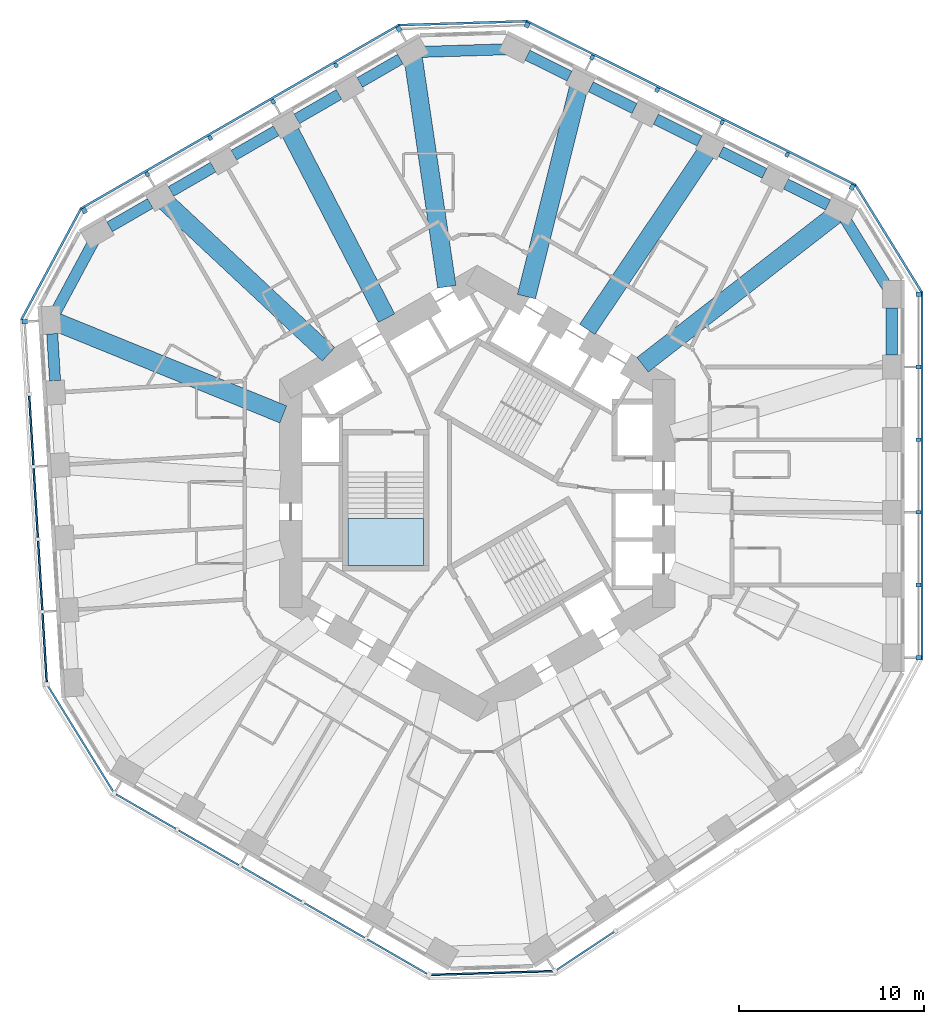
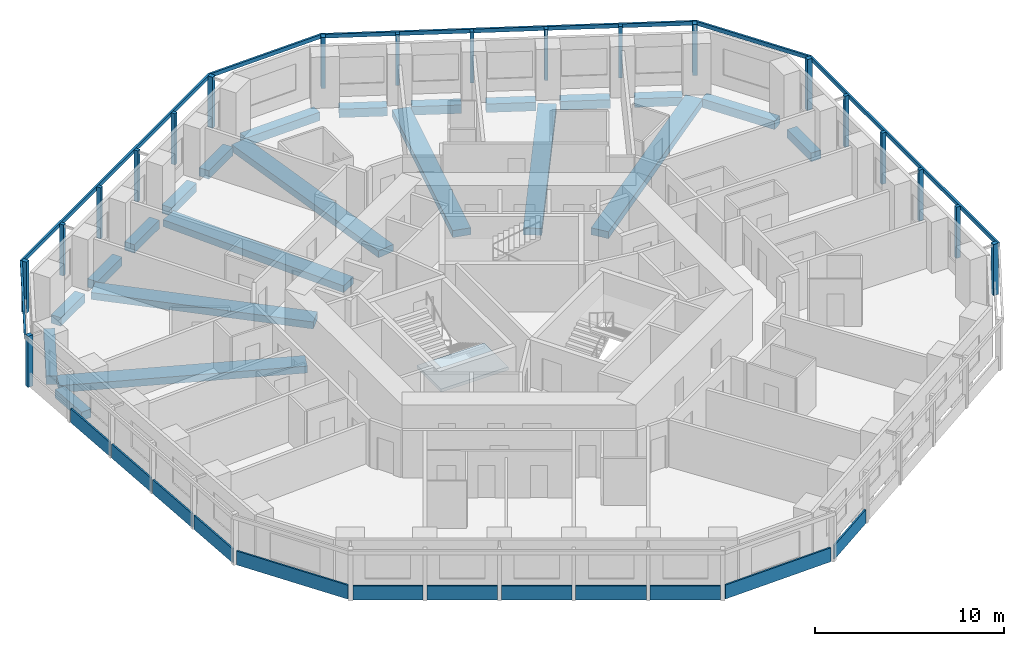
# One storey, part 2 of 12: 25 members, 22 beams, 12 plates, 1 slab, 12 elements without a shape of their own.
"""IFC4 building model written with IfcOpenShell, lengths in metres."""

from ifc_helpers import new_model, si_unit, direction, frame, origin, origin_2d, place, context, subcontext, project, spatial, polyline, rectangle, outline, extrude, material, layer, layer_set, material_profile, profile_set, type_object, element, aggregate, save


model = new_model("IFC4")

# Units and contexts
model_context = context("Model", 3, precision=1e-05, world=origin(), true_north=direction((0.0, 1.0)))
body_context = subcontext(model_context, "Body", "Model", "MODEL_VIEW")
ifc_project = project(units=[si_unit("LENGTHUNIT", "METRE"), si_unit("AREAUNIT", "SQUARE_METRE"), si_unit("VOLUMEUNIT", "CUBIC_METRE"), si_unit("PLANEANGLEUNIT", "RADIAN"), si_unit("MASSUNIT", "GRAM", prefix="KILO")], contexts=[model_context])

# Site, building, storey
site_placement = place(None, origin())
site = spatial("IfcSite", under=ifc_project, at=site_placement, CompositionType="ELEMENT")
building_placement = place(site_placement, origin())
building = spatial("IfcBuilding", under=site, at=building_placement, Name="Vanh Sen Convention Tower", CompositionType="ELEMENT")
storey_placement = place(building_placement, frame((0.0, 0.0, 53.89990234375)))
storey = spatial("IfcBuildingStorey", under=building, at=storey_placement, Name="L10", CompositionType="ELEMENT", Elevation=53.89990234375)

# Curtain wall, members
ifc_material_1 = material(Name="Concrete C50/60", Category="concrete")
curtain_wall_type = type_object("IfcCurtainWallType", Name="Outer skin hotel zone", PredefinedType="NOTDEFINED", material=ifc_material_1)
curtain_wall_1_placement = place(storey_placement, origin())
curtain_wall_1 = element("IfcCurtainWall", 1, at=curtain_wall_1_placement, inside=storey, type_object=curtain_wall_type, Name="OUTER SKIN E L10", PredefinedType="NOTDEFINED")
ifc_material_profile_1 = material_profile(ifc_material_1, rectangle(XDim=0.25, YDim=0.300048828125, at=origin_2d()), Name="Outer skin precast corner fin 250 x 300")
ifc_profile_set_1 = profile_set([ifc_material_profile_1], Name="Concrete C50/60")
member_type_1 = type_object("IfcMemberType", Name="Outer skin precast corner fin 250 x 300", PredefinedType="MULLION", material=ifc_profile_set_1)
member_1_placement = place(storey_placement, frame((23.89990234375, -8.899169921875, 0.0), z_axis=(0.0, 0.0, 1.0), x_axis=(0.0, 1.0, 0.0)))
member_1 = element("IfcMember", 2, at=member_1_placement, type_object=member_type_1, Name="OUTER SKIN CORNER FIN 1 E L10", PredefinedType="MULLION", context=body_context, shape_type="SweptSolid", body=[
    extrude(rectangle(XDim=0.25, YDim=0.300048828125, at=origin_2d()), origin(), (0.0, 0.0, 1.0), 3.300048828125),
])
member_2_placement = place(storey_placement, frame((23.89990234375, 10.773681640625, 0.0), z_axis=(0.0, 0.0, 1.0), x_axis=(0.0, 1.0, 0.0)))
member_2 = element("IfcMember", 3, at=member_2_placement, type_object=member_type_1, Name="OUTER SKIN CORNER FIN 6 E L10", PredefinedType="MULLION", context=body_context, shape_type="SweptSolid", body=[
    extrude(rectangle(XDim=0.25, YDim=0.300048828125, at=origin_2d()), origin(), (0.0, 0.0, 1.0), 3.300048828125),
])

curtain_wall_2_placement = place(storey_placement, origin())
curtain_wall_2 = element("IfcCurtainWall", 4, at=curtain_wall_2_placement, inside=storey, type_object=curtain_wall_type, Name="OUTER SKIN NE L10", PredefinedType="NOTDEFINED")
member_3_placement = place(storey_placement, frame((20.305908203125, 16.581787109375, 0.0), z_axis=(0.0, 0.0, 1.0), x_axis=(-0.894934361602, 0.44619781311, 0.0)))
member_3 = element("IfcMember", 5, at=member_3_placement, type_object=member_type_1, Name="OUTER SKIN CORNER FIN 1 NE L10", PredefinedType="MULLION", context=body_context, shape_type="SweptSolid", body=[
    extrude(rectangle(XDim=0.25, YDim=0.300048828125, at=origin_2d()), origin(), (0.0, 0.0, 1.0), 3.300048828125),
])
member_4_placement = place(storey_placement, frame((2.699951171875, 25.35986328125, 0.0), z_axis=(0.0, 0.0, 1.0), x_axis=(-0.894934361602, 0.44619781311, 0.0)))
member_4 = element("IfcMember", 6, at=member_4_placement, type_object=member_type_1, Name="OUTER SKIN CORNER FIN 6 NE L10", PredefinedType="MULLION", context=body_context, shape_type="SweptSolid", body=[
    extrude(rectangle(XDim=0.25, YDim=0.300048828125, at=origin_2d()), origin(), (0.0, 0.0, 1.0), 3.300048828125),
])

curtain_wall_3_placement = place(storey_placement, origin())
curtain_wall_3 = element("IfcCurtainWall", 7, at=curtain_wall_3_placement, inside=storey, type_object=curtain_wall_type, Name="OUTER SKIN NW L10", PredefinedType="NOTDEFINED")
member_5_placement = place(storey_placement, frame((-4.242919921875, 25.147705078125, 0.0), z_axis=(0.0, 0.0, 1.0), x_axis=(-0.866025403784, -0.5, 0.0)))
member_5 = element("IfcMember", 8, at=member_5_placement, type_object=member_type_1, Name="OUTER SKIN CORNER FIN 1 NW L10", PredefinedType="MULLION", context=body_context, shape_type="SweptSolid", body=[
    extrude(rectangle(XDim=0.25, YDim=0.300048828125, at=origin_2d()), origin(), (0.0, 0.0, 1.0), 3.300048828125),
])
member_6_placement = place(storey_placement, frame((-21.2802734375, 15.31103515625, 0.0), z_axis=(0.0, 0.0, 1.0), x_axis=(-0.866025403784, -0.5, 0.0)))
member_6 = element("IfcMember", 9, at=member_6_placement, type_object=member_type_1, Name="OUTER SKIN CORNER FIN 6 NW L10", PredefinedType="MULLION", context=body_context, shape_type="SweptSolid", body=[
    extrude(rectangle(XDim=0.25, YDim=0.300048828125, at=origin_2d()), origin(), (0.0, 0.0, 1.0), 3.300048828125),
])

# Curtain wall, member
curtain_wall_4_placement = place(storey_placement, origin())
curtain_wall_4 = element("IfcCurtainWall", 10, at=curtain_wall_4_placement, inside=storey, type_object=curtain_wall_type, Name="OUTER SKIN W L10", PredefinedType="NOTDEFINED")
member_7_placement = place(storey_placement, frame((-24.51318359375, 9.294677734375, 0.0), z_axis=(0.0, 0.0, 1.0), x_axis=(0.061048539535, -0.998134798422, 0.0)))
member_7 = element("IfcMember", 11, at=member_7_placement, type_object=member_type_1, Name="OUTER SKIN CORNER FIN 1 W L10", PredefinedType="MULLION", context=body_context, shape_type="SweptSolid", body=[
    extrude(rectangle(XDim=0.25, YDim=0.300048828125, at=origin_2d()), origin(), (0.0, 0.0, 1.0), 3.300048828125),
])

# Member
ifc_material_profile_2 = material_profile(ifc_material_1, rectangle(XDim=0.199951171875, YDim=0.25, at=origin_2d()), Name="Outer skin precast fin 200 x 250")
ifc_profile_set_2 = profile_set([ifc_material_profile_2], Name="Concrete C50/60")
member_type_2 = type_object("IfcMemberType", Name="Outer skin precast fin 200 x 250", PredefinedType="MULLION", material=ifc_profile_set_2)
member_8_placement = place(storey_placement, frame((23.89990234375, -4.964599609375, 0.0), z_axis=(0.0, 0.0, 1.0), x_axis=(0.0, 1.0, 0.0)))
member_8 = element("IfcMember", 12, at=member_8_placement, type_object=member_type_2, Name="OUTER SKIN fin 2 E L10", PredefinedType="MULLION", context=body_context, shape_type="SweptSolid", body=[
    extrude(rectangle(XDim=0.199951171875, YDim=0.25, at=origin_2d()), origin(), (0.0, 0.0, 1.0), 3.300048828125),
])

member_9_placement = place(storey_placement, frame((23.89990234375, -1.030029296875, 0.0), z_axis=(0.0, 0.0, 1.0), x_axis=(0.0, 1.0, 0.0)))
member_9 = element("IfcMember", 13, at=member_9_placement, type_object=member_type_2, Name="OUTER SKIN fin 3 E L10", PredefinedType="MULLION", context=body_context, shape_type="SweptSolid", body=[
    extrude(rectangle(XDim=0.199951171875, YDim=0.25, at=origin_2d()), origin(), (0.0, 0.0, 1.0), 3.300048828125),
])

member_10_placement = place(storey_placement, frame((23.89990234375, 2.904541015625, 0.0), z_axis=(0.0, 0.0, 1.0), x_axis=(0.0, 1.0, 0.0)))
member_10 = element("IfcMember", 14, at=member_10_placement, type_object=member_type_2, Name="OUTER SKIN fin 4 E L10", PredefinedType="MULLION", context=body_context, shape_type="SweptSolid", body=[
    extrude(rectangle(XDim=0.199951171875, YDim=0.25, at=origin_2d()), origin(), (0.0, 0.0, 1.0), 3.300048828125),
])

member_11_placement = place(storey_placement, frame((23.89990234375, 6.839111328125, 0.0), z_axis=(0.0, 0.0, 1.0), x_axis=(0.0, 1.0, 0.0)))
member_11 = element("IfcMember", 15, at=member_11_placement, type_object=member_type_2, Name="OUTER SKIN fin 5 E L10", PredefinedType="MULLION", context=body_context, shape_type="SweptSolid", body=[
    extrude(rectangle(XDim=0.199951171875, YDim=0.25, at=origin_2d()), origin(), (0.0, 0.0, 1.0), 3.300048828125),
])

member_12_placement = place(storey_placement, frame((16.78466796875, 18.33740234375, 0.0), z_axis=(0.0, 0.0, 1.0), x_axis=(-0.894934361602, 0.44619781311, 0.0)))
member_12 = element("IfcMember", 16, at=member_12_placement, type_object=member_type_2, Name="OUTER SKIN fin 2 NE L10", PredefinedType="MULLION", context=body_context, shape_type="SweptSolid", body=[
    extrude(rectangle(XDim=0.199951171875, YDim=0.25, at=origin_2d()), origin(), (0.0, 0.0, 1.0), 3.300048828125),
])

member_13_placement = place(storey_placement, frame((13.263427734375, 20.093017578125, 0.0), z_axis=(0.0, 0.0, 1.0), x_axis=(-0.894934361602, 0.44619781311, 0.0)))
member_13 = element("IfcMember", 17, at=member_13_placement, type_object=member_type_2, Name="OUTER SKIN fin 3 NE L10", PredefinedType="MULLION", context=body_context, shape_type="SweptSolid", body=[
    extrude(rectangle(XDim=0.199951171875, YDim=0.25, at=origin_2d()), origin(), (0.0, 0.0, 1.0), 3.300048828125),
])

member_14_placement = place(storey_placement, frame((9.7421875, 21.8486328125, 0.0), z_axis=(0.0, 0.0, 1.0), x_axis=(-0.894934361602, 0.44619781311, 0.0)))
member_14 = element("IfcMember", 18, at=member_14_placement, type_object=member_type_2, Name="OUTER SKIN fin 4 NE L10", PredefinedType="MULLION", context=body_context, shape_type="SweptSolid", body=[
    extrude(rectangle(XDim=0.199951171875, YDim=0.25, at=origin_2d()), origin(), (0.0, 0.0, 1.0), 3.300048828125),
])

member_15_placement = place(storey_placement, frame((6.22119140625, 23.604248046875, 0.0), z_axis=(0.0, 0.0, 1.0), x_axis=(-0.894934361602, 0.44619781311, 0.0)))
member_15 = element("IfcMember", 19, at=member_15_placement, type_object=member_type_2, Name="OUTER SKIN fin 5 NE L10", PredefinedType="MULLION", context=body_context, shape_type="SweptSolid", body=[
    extrude(rectangle(XDim=0.199951171875, YDim=0.25, at=origin_2d()), origin(), (0.0, 0.0, 1.0), 3.300048828125),
])

member_16_placement = place(storey_placement, frame((-7.650390625, 23.180419921875, 0.0), z_axis=(0.0, 0.0, 1.0), x_axis=(-0.866025403784, -0.5, 0.0)))
member_16 = element("IfcMember", 20, at=member_16_placement, type_object=member_type_2, Name="OUTER SKIN fin 2 NW L10", PredefinedType="MULLION", context=body_context, shape_type="SweptSolid", body=[
    extrude(rectangle(XDim=0.199951171875, YDim=0.25, at=origin_2d()), origin(), (0.0, 0.0, 1.0), 3.300048828125),
])

member_17_placement = place(storey_placement, frame((-11.057861328125, 21.212890625, 0.0), z_axis=(0.0, 0.0, 1.0), x_axis=(-0.866025403784, -0.5, 0.0)))
member_17 = element("IfcMember", 21, at=member_17_placement, type_object=member_type_2, Name="OUTER SKIN fin 3 NW L10", PredefinedType="MULLION", context=body_context, shape_type="SweptSolid", body=[
    extrude(rectangle(XDim=0.199951171875, YDim=0.25, at=origin_2d()), origin(), (0.0, 0.0, 1.0), 3.300048828125),
])

member_18_placement = place(storey_placement, frame((-14.46533203125, 19.24560546875, 0.0), z_axis=(0.0, 0.0, 1.0), x_axis=(-0.866025403784, -0.5, 0.0)))
member_18 = element("IfcMember", 22, at=member_18_placement, type_object=member_type_2, Name="OUTER SKIN fin 4 NW L10", PredefinedType="MULLION", context=body_context, shape_type="SweptSolid", body=[
    extrude(rectangle(XDim=0.199951171875, YDim=0.25, at=origin_2d()), origin(), (0.0, 0.0, 1.0), 3.300048828125),
])

member_19_placement = place(storey_placement, frame((-17.872802734375, 17.2783203125, 0.0), z_axis=(0.0, 0.0, 1.0), x_axis=(-0.866025403784, -0.5, 0.0)))
member_19 = element("IfcMember", 23, at=member_19_placement, type_object=member_type_2, Name="OUTER SKIN fin 5 NW L10", PredefinedType="MULLION", context=body_context, shape_type="SweptSolid", body=[
    extrude(rectangle(XDim=0.199951171875, YDim=0.25, at=origin_2d()), origin(), (0.0, 0.0, 1.0), 3.300048828125),
])

ifc_material_profile_3 = material_profile(ifc_material_1, rectangle(XDim=0.1201171875, YDim=0.25, at=origin_2d()), Name="Outer skin precast spandrel band 250 x 120")
ifc_profile_set_3 = profile_set([ifc_material_profile_3], Name="Concrete C50/60")
member_type_3 = type_object("IfcMemberType", Name="Outer skin precast spandrel band 250 x 120", PredefinedType="USERDEFINED", material=ifc_profile_set_3)
member_20_placement = place(storey_placement, frame((24.0849609375, -9.024169921875, 3.175048828125), z_axis=(0.0, 1.0, 0.0), x_axis=(-1.0, 0.0, 0.0)))
member_20 = element("IfcMember", 24, at=member_20_placement, type_object=member_type_3, Name="OUTER SKIN spandrel band E L10", ObjectType="TRANSOM", PredefinedType="USERDEFINED", context=body_context, shape_type="SweptSolid", body=[
    extrude(rectangle(XDim=0.1201171875, YDim=0.25, at=origin_2d()), origin(), (0.0, 0.0, 1.0), 19.9228515625),
])

aggregate(curtain_wall_1, [member_1, member_8, member_9, member_10, member_11, member_2, member_20])

# Curtain wall, member
curtain_wall_5_placement = place(storey_placement, origin())
curtain_wall_5 = element("IfcCurtainWall", 25, at=curtain_wall_5_placement, inside=storey, type_object=curtain_wall_type, Name="OUTER SKIN CH1 L10", PredefinedType="NOTDEFINED")
member_21_placement = place(storey_placement, frame((24.07861328125, 10.88427734375, 3.175048828125), z_axis=(-0.526195864379, 0.850363400148, 0.0), x_axis=(-0.850363400148, -0.526195864379, 0.0)))
member_21 = element("IfcMember", 26, at=member_21_placement, type_object=member_type_3, Name="OUTER SKIN spandrel band CH1 L10", ObjectType="TRANSOM", PredefinedType="USERDEFINED", context=body_context, shape_type="SweptSolid", body=[
    extrude(rectangle(XDim=0.1201171875, YDim=0.25, at=origin_2d()), origin(), (0.0, 0.0, 1.0), 6.830078125),
])
aggregate(curtain_wall_5, [member_21])

# Member
member_22_placement = place(storey_placement, frame((20.500244140625, 16.69140625, 3.175048828125), z_axis=(-0.894931498167, 0.446203556227, 0.0), x_axis=(-0.446203556227, -0.894931498167, 0.0)))
member_22 = element("IfcMember", 27, at=member_22_placement, type_object=member_type_3, Name="OUTER SKIN spandrel band NE L10", ObjectType="TRANSOM", PredefinedType="USERDEFINED", context=body_context, shape_type="SweptSolid", body=[
    extrude(rectangle(XDim=0.1201171875, YDim=0.25, at=origin_2d()), origin(), (0.0, 0.0, 1.0), 19.9228515625),
])

aggregate(curtain_wall_2, [member_3, member_12, member_13, member_14, member_15, member_4, member_22])

# Curtain wall, member
curtain_wall_6_placement = place(storey_placement, origin())
curtain_wall_6 = element("IfcCurtainWall", 28, at=curtain_wall_6_placement, inside=storey, type_object=curtain_wall_type, Name="OUTER SKIN CH2 L10", PredefinedType="NOTDEFINED")
member_23_placement = place(storey_placement, frame((2.693603515625, 25.569580078125, 3.175048828125), z_axis=(-0.999533472857, -0.030542374483, 0.0), x_axis=(0.030542374483, -0.999533472857, 0.0)))
member_23 = element("IfcMember", 29, at=member_23_placement, type_object=member_type_3, Name="OUTER SKIN spandrel band CH2 L10", ObjectType="TRANSOM", PredefinedType="USERDEFINED", context=body_context, shape_type="SweptSolid", body=[
    extrude(rectangle(XDim=0.1201171875, YDim=0.25, at=origin_2d()), origin(), (0.0, 0.0, 1.0), 6.9462890625),
])
aggregate(curtain_wall_6, [member_23])

# Member
member_24_placement = place(storey_placement, frame((-4.227294921875, 25.370361328125, 3.175048828125), z_axis=(-0.866028047459, -0.499995420993, 0.0), x_axis=(0.499995420993, -0.866028047459, 0.0)))
member_24 = element("IfcMember", 30, at=member_24_placement, type_object=member_type_3, Name="OUTER SKIN spandrel band NW L10", ObjectType="TRANSOM", PredefinedType="USERDEFINED", context=body_context, shape_type="SweptSolid", body=[
    extrude(rectangle(XDim=0.1201171875, YDim=0.25, at=origin_2d()), origin(), (0.0, 0.0, 1.0), 19.923095703125),
])

aggregate(curtain_wall_3, [member_5, member_16, member_17, member_18, member_19, member_6, member_24])

# Curtain wall, member
curtain_wall_7_placement = place(storey_placement, origin())
curtain_wall_7 = element("IfcCurtainWall", 31, at=curtain_wall_7_placement, inside=storey, type_object=curtain_wall_type, Name="OUTER SKIN CH3 L10", PredefinedType="NOTDEFINED")
member_25_placement = place(storey_placement, frame((-21.46533203125, 15.410400390625, 3.175048828125), z_axis=(-0.473315186561, -0.880893145717, 0.0), x_axis=(0.880893145717, -0.473315186561, 0.0)))
member_25 = element("IfcMember", 32, at=member_25_placement, type_object=member_type_3, Name="OUTER SKIN spandrel band CH3 L10", ObjectType="TRANSOM", PredefinedType="USERDEFINED", context=body_context, shape_type="SweptSolid", body=[
    extrude(rectangle(XDim=0.1201171875, YDim=0.25, at=origin_2d()), origin(), (0.0, 0.0, 1.0), 6.829833984375),
])
aggregate(curtain_wall_7, [member_25])

# Beams
ifc_material_2 = material(Name="Concrete C50/60", Category="concrete")
ifc_material_profile_4 = material_profile(ifc_material_2, rectangle(XDim=1.0, YDim=0.449951171875, at=origin_2d()), Name="RC 1000X450")
ifc_profile_set_4 = profile_set([ifc_material_profile_4], Name="Concrete C50/60")
beam_type_1 = type_object("IfcBeamType", Name="Radial floor beam 1000 x 450", PredefinedType="BEAM", material=ifc_profile_set_4)
beam_1_placement = place(storey_placement, frame((19.41455078125, 15.093994140625, -0.474853515625), z_axis=(-0.789473256885, -0.613784959627, 0.0), x_axis=(0.613784959627, -0.789473256885, 0.0)))
element("IfcBeam", 33, at=beam_1_placement, inside=storey, type_object=beam_type_1, Name="Radial beam 04 L10", PredefinedType="BEAM", context=body_context, shape_type="SweptSolid", body=[
    extrude(rectangle(XDim=1.0, YDim=0.449951171875, at=origin_2d()), origin(), (0.0, 0.0, 1.0), 13.248779296875),
])
beam_2_placement = place(storey_placement, frame((12.374267578125, 18.4345703125, -0.474853515625), z_axis=(-0.557324389615, -0.830294842053, 0.0), x_axis=(0.830294842053, -0.557324389615, 0.0)))
element("IfcBeam", 34, at=beam_2_placement, inside=storey, type_object=beam_type_1, Name="Radial beam 05 L10", PredefinedType="BEAM", context=body_context, shape_type="SweptSolid", body=[
    extrude(rectangle(XDim=1.0, YDim=0.449951171875, at=origin_2d()), origin(), (0.0, 0.0, 1.0), 11.51708984375),
])
beam_3_placement = place(storey_placement, frame((5.47802734375, 21.921875, -0.474853515625), z_axis=(-0.242426812684, -0.97016969675, 0.0), x_axis=(0.97016969675, -0.242426812684, 0.0)))
element("IfcBeam", 35, at=beam_3_placement, inside=storey, type_object=beam_type_1, Name="Radial beam 06 L10", PredefinedType="BEAM", context=body_context, shape_type="SweptSolid", body=[
    extrude(rectangle(XDim=1.0, YDim=0.449951171875, at=origin_2d()), origin(), (0.0, 0.0, 1.0), 11.614501953125),
])
beam_4_placement = place(storey_placement, frame((-3.46923828125, 23.560791015625, -0.474853515625), z_axis=(0.145669310946, -0.989333337075, 0.0), x_axis=(0.989333337075, 0.145669310946, 0.0)))
element("IfcBeam", 36, at=beam_4_placement, inside=storey, type_object=beam_type_1, Name="Radial beam 07 L10", PredefinedType="BEAM", context=body_context, shape_type="SweptSolid", body=[
    extrude(rectangle(XDim=1.0, YDim=0.449951171875, at=origin_2d()), origin(), (0.0, 0.0, 1.0), 12.5078125),
])
beam_5_placement = place(storey_placement, frame((-10.115478515625, 19.53759765625, -0.474853515625), z_axis=(0.459758563435, -0.8880439535, 0.0), x_axis=(0.8880439535, 0.459758563435, 0.0)))
element("IfcBeam", 37, at=beam_5_placement, inside=storey, type_object=beam_type_1, Name="Radial beam 08 L10", PredefinedType="BEAM", context=body_context, shape_type="SweptSolid", body=[
    extrude(rectangle(XDim=1.0, YDim=0.449951171875, at=origin_2d()), origin(), (0.0, 0.0, 1.0), 11.317626953125),
])
beam_6_placement = place(storey_placement, frame((-16.880859375, 15.773193359375, -0.474853515625), z_axis=(0.730669888391, -0.682730923717, 0.0), x_axis=(0.682730923717, 0.730669888391, 0.0)))
element("IfcBeam", 38, at=beam_6_placement, inside=storey, type_object=beam_type_1, Name="Radial beam 09 L10", PredefinedType="BEAM", context=body_context, shape_type="SweptSolid", body=[
    extrude(rectangle(XDim=1.0, YDim=0.449951171875, at=origin_2d()), origin(), (0.0, 0.0, 1.0), 12.074951171875),
])
beam_7_placement = place(storey_placement, frame((-22.779052734375, 9.266357421875, -0.474853515625), z_axis=(0.926290168233, -0.376810992719, 0.0), x_axis=(0.376810992719, 0.926290168233, 0.0)))
element("IfcBeam", 39, at=beam_7_placement, inside=storey, type_object=beam_type_1, Name="Radial beam 10 L10", PredefinedType="BEAM", context=body_context, shape_type="SweptSolid", body=[
    extrude(rectangle(XDim=1.0, YDim=0.449951171875, at=origin_2d()), origin(), (0.0, 0.0, 1.0), 13.24853515625),
])
ifc_material_profile_5 = material_profile(ifc_material_2, rectangle(XDim=0.60009765625, YDim=0.550048828125, at=origin_2d()), Name="RC 600X550")
ifc_profile_set_5 = profile_set([ifc_material_profile_5], Name="Concrete C50/60")
beam_type_2 = type_object("IfcBeamType", Name="Spandrel beam 600 x 550", PredefinedType="SPANDREL", material=ifc_profile_set_5)
beam_8_placement = place(storey_placement, frame((22.449951171875, 7.484130859375, -0.52490234375), z_axis=(0.0, 1.0, 0.0), x_axis=(-1.0, 0.0, 0.0)))
element("IfcBeam", 40, at=beam_8_placement, inside=storey, type_object=beam_type_2, Name="Spandrel beam 05 L10", PredefinedType="SPANDREL", context=body_context, shape_type="SweptSolid", body=[
    extrude(rectangle(XDim=0.60009765625, YDim=0.550048828125, at=origin_2d()), origin(), (0.0, 0.0, 1.0), 2.544677734375),
])
beam_9_placement = place(storey_placement, frame((22.207763671875, 11.165283203125, -0.52490234375), z_axis=(-0.526233808765, 0.850339919392, 0.0), x_axis=(-0.850339919392, -0.526233808765, 0.0)))
element("IfcBeam", 41, at=beam_9_placement, inside=storey, type_object=beam_type_2, Name="Spandrel beam 06 L10", PredefinedType="SPANDREL", context=body_context, shape_type="SweptSolid", body=[
    extrude(rectangle(XDim=0.60009765625, YDim=0.550048828125, at=origin_2d()), origin(), (0.0, 0.0, 1.0), 4.38330078125),
])
beam_10_placement = place(storey_placement, frame((18.9921875, 15.616455078125, -0.52490234375), z_axis=(-0.89492552091, 0.446215544356, 0.0), x_axis=(-0.446215544356, -0.89492552091, 0.0)))
element("IfcBeam", 42, at=beam_10_placement, inside=storey, type_object=beam_type_2, Name="Spandrel beam 07 L10", PredefinedType="SPANDREL", context=body_context, shape_type="SweptSolid", body=[
    extrude(rectangle(XDim=0.60009765625, YDim=0.550048828125, at=origin_2d()), origin(), (0.0, 0.0, 1.0), 2.544677734375),
])
beam_11_placement = place(storey_placement, frame((15.560546875, 17.327392578125, -0.52490234375), z_axis=(-0.894925098079, 0.446216392379, 0.0), x_axis=(-0.446216392379, -0.894925098079, 0.0)))
element("IfcBeam", 43, at=beam_11_placement, inside=storey, type_object=beam_type_2, Name="Spandrel beam 08 L10", PredefinedType="SPANDREL", context=body_context, shape_type="SweptSolid", body=[
    extrude(rectangle(XDim=0.60009765625, YDim=0.550048828125, at=origin_2d()), origin(), (0.0, 0.0, 1.0), 2.644775390625),
])
for number, where, z_axis, x_axis, name in (
    (44, (12.039306640625, 19.0830078125, -0.52490234375), (-0.894906716461, 0.446253256383, 0.0), (-0.446253256383, -0.894906716461, 0.0), "Spandrel beam 09 L10"),
    (45, (8.51806640625, 20.838623046875, -0.52490234375), (-0.894906716461, 0.446253256383, 0.0), (-0.446253256383, -0.894906716461, 0.0), "Spandrel beam 10 L10"),
):
    element("IfcBeam", number, at=place(storey_placement, frame(where, z_axis=z_axis, x_axis=x_axis)), inside=storey, type_object=beam_type_2, Name=name, PredefinedType="SPANDREL", context=body_context, shape_type="SweptSolid", body=[
        extrude(rectangle(XDim=0.60009765625, YDim=0.550048828125, at=origin_2d()), origin(), (0.0, 0.0, 1.0), 2.64453125),
    ])
beam_12_placement = place(storey_placement, frame((4.996826171875, 22.59423828125, -0.52490234375), z_axis=(-0.89492552091, 0.446215544356, 0.0), x_axis=(-0.446215544356, -0.89492552091, 0.0)))
element("IfcBeam", 46, at=beam_12_placement, inside=storey, type_object=beam_type_2, Name="Spandrel beam 11 L10", PredefinedType="SPANDREL", context=body_context, shape_type="SweptSolid", body=[
    extrude(rectangle(XDim=0.60009765625, YDim=0.550048828125, at=origin_2d()), origin(), (0.0, 0.0, 1.0), 2.544677734375),
])
beam_13_placement = place(storey_placement, frame((1.56005859375, 24.047119140625, -0.52490234375), z_axis=(-0.99953328448, -0.030548538698, 0.0), x_axis=(0.030548538698, -0.99953328448, 0.0)))
element("IfcBeam", 47, at=beam_13_placement, inside=storey, type_object=beam_type_2, Name="Spandrel beam 12 L10", PredefinedType="SPANDREL", context=body_context, shape_type="SweptSolid", body=[
    extrude(rectangle(XDim=0.60009765625, YDim=0.550048828125, at=origin_2d()), origin(), (0.0, 0.0, 1.0), 4.58740234375),
])
beam_14_placement = place(storey_placement, frame((-4.1630859375, 23.519287109375, -0.52490234375), z_axis=(-0.866056180903, -0.499946688677, 0.0), x_axis=(0.499946688677, -0.866056180903, 0.0)))
element("IfcBeam", 48, at=beam_14_placement, inside=storey, type_object=beam_type_2, Name="Spandrel beam 13 L10", PredefinedType="SPANDREL", context=body_context, shape_type="SweptSolid", body=[
    extrude(rectangle(XDim=0.60009765625, YDim=0.550048828125, at=origin_2d()), origin(), (0.0, 0.0, 1.0), 2.544677734375),
])
for number, where, z_axis, x_axis, name in (
    (49, (-7.484130859375, 21.60205078125, -0.52490234375), (-0.866030315638, -0.499991492324, 0.0), (0.499991492324, -0.866030315638, 0.0), "Spandrel beam 14 L10"),
    (50, (-10.8916015625, 19.634765625, -0.52490234375), (-0.866030315638, -0.499991492324, 0.0), (0.499991492324, -0.866030315638, 0.0), "Spandrel beam 15 L10"),
    (51, (-14.299072265625, 17.66748046875, -0.52490234375), (-0.866030315638, -0.499991492324, 0.0), (0.499991492324, -0.866030315638, 0.0), "Spandrel beam 16 L10"),
):
    element("IfcBeam", number, at=place(storey_placement, frame(where, z_axis=z_axis, x_axis=x_axis)), inside=storey, type_object=beam_type_2, Name=name, PredefinedType="SPANDREL", context=body_context, shape_type="SweptSolid", body=[
        extrude(rectangle(XDim=0.60009765625, YDim=0.550048828125, at=origin_2d()), origin(), (0.0, 0.0, 1.0), 2.64453125),
    ])
beam_15_placement = place(storey_placement, frame((-17.70654296875, 15.7001953125, -0.52490234375), z_axis=(-0.866032197868, -0.499988232117, 0.0), x_axis=(0.499988232117, -0.866032197868, 0.0)))
element("IfcBeam", 52, at=beam_15_placement, inside=storey, type_object=beam_type_2, Name="Spandrel beam 17 L10", PredefinedType="SPANDREL", context=body_context, shape_type="SweptSolid", body=[
    extrude(rectangle(XDim=0.60009765625, YDim=0.550048828125, at=origin_2d()), origin(), (0.0, 0.0, 1.0), 2.54443359375),
])
beam_16_placement = place(storey_placement, frame((-20.773193359375, 13.64990234375, -0.52490234375), z_axis=(-0.47333237284, -0.880883911093, 0.0), x_axis=(0.880883911093, -0.47333237284, 0.0)))
element("IfcBeam", 53, at=beam_16_placement, inside=storey, type_object=beam_type_2, Name="Spandrel beam 18 L10", PredefinedType="SPANDREL", context=body_context, shape_type="SweptSolid", body=[
    extrude(rectangle(XDim=0.60009765625, YDim=0.550048828125, at=origin_2d()), origin(), (0.0, 0.0, 1.0), 4.38330078125),
])
beam_17_placement = place(storey_placement, frame((-23.020263671875, 8.639404296875, -0.52490234375), z_axis=(0.061022277531, -0.998136404328, 0.0), x_axis=(0.998136404328, 0.061022277531, 0.0)))
element("IfcBeam", 54, at=beam_17_placement, inside=storey, type_object=beam_type_2, Name="Spandrel beam 19 L10", PredefinedType="SPANDREL", context=body_context, shape_type="SweptSolid", body=[
    extrude(rectangle(XDim=0.60009765625, YDim=0.550048828125, at=origin_2d()), origin(), (0.0, 0.0, 1.0), 2.54443359375),
])

# Plate
ifc_layer_1 = layer(ifc_material_1, 0.10009765625)
ifc_layer_set_1 = layer_set([ifc_layer_1], Name="Concrete C50/60")
plate_type = type_object("IfcPlateType", Name="Outer skin precast screen panel 100", PredefinedType="CURTAIN_PANEL", material=ifc_layer_set_1)
plate_1_placement = place(storey_placement, frame((-24.15283203125, 3.40380859375, 0.000244140625), z_axis=(0.0, 0.0, 1.0), x_axis=(0.061048539535, -0.998134798422, 0.0)))
plate_1 = element("IfcPlate", 55, at=plate_1_placement, type_object=plate_type, Name="OUTER SKIN screen panel W-2", PredefinedType="CURTAIN_PANEL", context=body_context, shape_type="SweptSolid", body=[
    extrude(rectangle(XDim=3.734619140625, YDim=0.10009765625, at=origin_2d()), origin(), (0.0, 0.0, 1.0), 0.89990234375),
])

plate_2_placement = place(storey_placement, frame((-23.91259765625, -0.523681640625, 0.000244140625), z_axis=(0.0, 0.0, 1.0), x_axis=(0.061046797461, -0.99813490497, 0.0)))
plate_2 = element("IfcPlate", 56, at=plate_2_placement, type_object=plate_type, Name="OUTER SKIN screen panel W-3", PredefinedType="CURTAIN_PANEL", context=body_context, shape_type="SweptSolid", body=[
    extrude(rectangle(XDim=3.734619140625, YDim=0.10009765625, at=origin_2d()), origin(), (0.0, 0.0, 1.0), 0.89990234375),
])

plate_3_placement = place(storey_placement, frame((-23.67236328125, -4.45068359375, 0.000244140625), z_axis=(0.0, 0.0, 1.0), x_axis=(0.061048539535, -0.998134798422, 0.0)))
plate_3 = element("IfcPlate", 57, at=plate_3_placement, type_object=plate_type, Name="OUTER SKIN screen panel W-4", PredefinedType="CURTAIN_PANEL", context=body_context, shape_type="SweptSolid", body=[
    extrude(rectangle(XDim=3.734619140625, YDim=0.10009765625, at=origin_2d()), origin(), (0.0, 0.0, 1.0), 0.89990234375),
])

plate_4_placement = place(storey_placement, frame((-23.43310546875, -8.365478515625, 0.000244140625), z_axis=(0.0, 0.0, 1.0), x_axis=(0.061046797461, -0.99813490497, 0.0)))
plate_4 = element("IfcPlate", 58, at=plate_4_placement, type_object=plate_type, Name="OUTER SKIN screen panel W-5", PredefinedType="CURTAIN_PANEL", context=body_context, shape_type="SweptSolid", body=[
    extrude(rectangle(XDim=3.709716796875, YDim=0.10009765625, at=origin_2d()), origin(), (0.0, 0.0, 1.0), 0.89990234375),
])

aggregate(curtain_wall_4, [member_7, plate_1, plate_2, plate_3, plate_4])

# Curtain wall, plate
curtain_wall_8_placement = place(storey_placement, origin())
curtain_wall_8 = element("IfcCurtainWall", 59, at=curtain_wall_8_placement, inside=storey, type_object=curtain_wall_type, Name="OUTER SKIN CH4 L10", PredefinedType="NOTDEFINED")
plate_5_placement = place(storey_placement, frame((-21.484619140625, -13.295166015625, 0.000244140625), z_axis=(0.0, 0.0, 1.0), x_axis=(0.526205018755, -0.850357735448, 0.0)))
plate_5 = element("IfcPlate", 60, at=plate_5_placement, type_object=plate_type, Name="OUTER SKIN screen panel CH4-1", PredefinedType="CURTAIN_PANEL", context=body_context, shape_type="SweptSolid", body=[
    extrude(rectangle(XDim=6.6962890625, YDim=0.10009765625, at=origin_2d()), origin(), (0.0, 0.0, 1.0), 0.89990234375),
])
aggregate(curtain_wall_8, [plate_5])

# Curtain wall, plates
curtain_wall_9_placement = place(storey_placement, origin())
curtain_wall_9 = element("IfcCurtainWall", 61, at=curtain_wall_9_placement, inside=storey, type_object=curtain_wall_type, Name="OUTER SKIN SW L10", PredefinedType="NOTDEFINED")
plate_6_placement = place(storey_placement, frame((-17.9423828125, -17.23828125, 0.000244140625), z_axis=(0.0, 0.0, 1.0), x_axis=(0.866028021766, -0.499995465495, 0.0)))
plate_6 = element("IfcPlate", 62, at=plate_6_placement, type_object=plate_type, Name="OUTER SKIN screen panel SW-1", PredefinedType="CURTAIN_PANEL", context=body_context, shape_type="SweptSolid", body=[
    extrude(rectangle(XDim=3.709716796875, YDim=0.10009765625, at=origin_2d()), origin(), (0.0, 0.0, 1.0), 0.89990234375),
])
plate_7_placement = place(storey_placement, frame((-14.5458984375, -19.19921875, 0.000244140625), z_axis=(0.0, 0.0, 1.0), x_axis=(0.866032385017, -0.499987907955, 0.0)))
plate_7 = element("IfcPlate", 63, at=plate_7_placement, type_object=plate_type, Name="OUTER SKIN screen panel SW-2", PredefinedType="CURTAIN_PANEL", context=body_context, shape_type="SweptSolid", body=[
    extrude(rectangle(XDim=3.734619140625, YDim=0.10009765625, at=origin_2d()), origin(), (0.0, 0.0, 1.0), 0.89990234375),
])
plate_8_placement = place(storey_placement, frame((-11.138427734375, -21.16650390625, 0.000244140625), z_axis=(0.0, 0.0, 1.0), x_axis=(0.866028021766, -0.499995465495, 0.0)))
plate_8 = element("IfcPlate", 64, at=plate_8_placement, type_object=plate_type, Name="OUTER SKIN screen panel SW-3", PredefinedType="CURTAIN_PANEL", context=body_context, shape_type="SweptSolid", body=[
    extrude(rectangle(XDim=3.734619140625, YDim=0.10009765625, at=origin_2d()), origin(), (0.0, 0.0, 1.0), 0.89990234375),
])
plate_9_placement = place(storey_placement, frame((-7.73095703125, -23.1337890625, 0.000244140625), z_axis=(0.0, 0.0, 1.0), x_axis=(0.866028021766, -0.499995465495, 0.0)))
plate_9 = element("IfcPlate", 65, at=plate_9_placement, type_object=plate_type, Name="OUTER SKIN screen panel SW-4", PredefinedType="CURTAIN_PANEL", context=body_context, shape_type="SweptSolid", body=[
    extrude(rectangle(XDim=3.734619140625, YDim=0.10009765625, at=origin_2d()), origin(), (0.0, 0.0, 1.0), 0.89990234375),
])
plate_10_placement = place(storey_placement, frame((-4.334228515625, -25.094970703125, 0.000244140625), z_axis=(0.0, 0.0, 1.0), x_axis=(0.866021040428, -0.500007557478, 0.0)))
plate_10 = element("IfcPlate", 66, at=plate_10_placement, type_object=plate_type, Name="OUTER SKIN screen panel SW-5", PredefinedType="CURTAIN_PANEL", context=body_context, shape_type="SweptSolid", body=[
    extrude(rectangle(XDim=3.70947265625, YDim=0.10009765625, at=origin_2d()), origin(), (0.0, 0.0, 1.0), 0.89990234375),
])
aggregate(curtain_wall_9, [plate_6, plate_7, plate_8, plate_9, plate_10])

# Curtain wall, plate
curtain_wall_10_placement = place(storey_placement, origin())
curtain_wall_10 = element("IfcCurtainWall", 67, at=curtain_wall_10_placement, inside=storey, type_object=curtain_wall_type, Name="OUTER SKIN CH5 L10", PredefinedType="NOTDEFINED")
plate_11_placement = place(storey_placement, frame((0.793701171875, -25.98046875, 0.000244140625), z_axis=(0.0, 0.0, 1.0), x_axis=(0.999533484231, 0.03054200224, 0.0)))
plate_11 = element("IfcPlate", 68, at=plate_11_placement, type_object=plate_type, Name="OUTER SKIN screen panel CH5-1", PredefinedType="CURTAIN_PANEL", context=body_context, shape_type="SweptSolid", body=[
    extrude(rectangle(XDim=6.580078125, YDim=0.10009765625, at=origin_2d()), origin(), (0.0, 0.0, 1.0), 0.89990234375),
])
aggregate(curtain_wall_10, [plate_11])

curtain_wall_11_placement = place(storey_placement, origin())
curtain_wall_11 = element("IfcCurtainWall", 69, at=curtain_wall_11_placement, inside=storey, type_object=curtain_wall_type, Name="OUTER SKIN SE L10", PredefinedType="NOTDEFINED")
plate_12_placement = place(storey_placement, frame((5.858154296875, -24.783447265625, 0.000244140625), z_axis=(0.0, 0.0, 1.0), x_axis=(0.833891601892, 0.55192825285, 0.0)))
plate_12 = element("IfcPlate", 70, at=plate_12_placement, type_object=plate_type, Name="OUTER SKIN screen panel SE-1", PredefinedType="CURTAIN_PANEL", context=body_context, shape_type="SweptSolid", body=[
    extrude(rectangle(XDim=3.709716796875, YDim=0.10009765625, at=origin_2d()), origin(), (0.0, 0.0, 1.0), 0.89990234375),
])
aggregate(curtain_wall_11, [plate_12])

# Stair, slab
ifc_material_3 = material(Name="Concrete C50/60", Category="concrete")
stair_type = type_object("IfcStairType", Name="Exit stair ST2 20 risers at 165.0", PredefinedType="HALF_TURN_STAIR", material=ifc_material_3)
stair_placement = place(storey_placement, origin())
stair = element("IfcStair", 71, at=stair_placement, inside=storey, type_object=stair_type, Name="Exit stair ST2 L10", PredefinedType="HALF_TURN_STAIR")
ifc_material_4 = material(Name="Concrete C40/50", Category="concrete")
ifc_layer_2 = layer(ifc_material_4, 0.199951171875)
ifc_layer_set_2 = layer_set([ifc_layer_2], Name="Concrete C40/50")
slab_type = type_object("IfcSlabType", Name="Stair landing 200", PredefinedType="LANDING", material=ifc_layer_set_2)
slab_placement = place(storey_placement, frame((0.0, 0.0, 1.4501953125)))
slab = element("IfcSlab", 72, at=slab_placement, type_object=slab_type, Name="ST2 landing 1", PredefinedType="LANDING", context=body_context, shape_type="SweptSolid", body=[
    extrude(outline(polyline([(-7.0, -1.369384765625), (-7.0, -3.909912109375), (-2.89990234375, -3.909912109375), (-2.89990234375, -1.369384765625), (-7.0, -1.369384765625)])), origin(), (0.0, 0.0, 1.0), 0.199951171875),
])
aggregate(stair, [slab])

save(model, "model.ifc")
